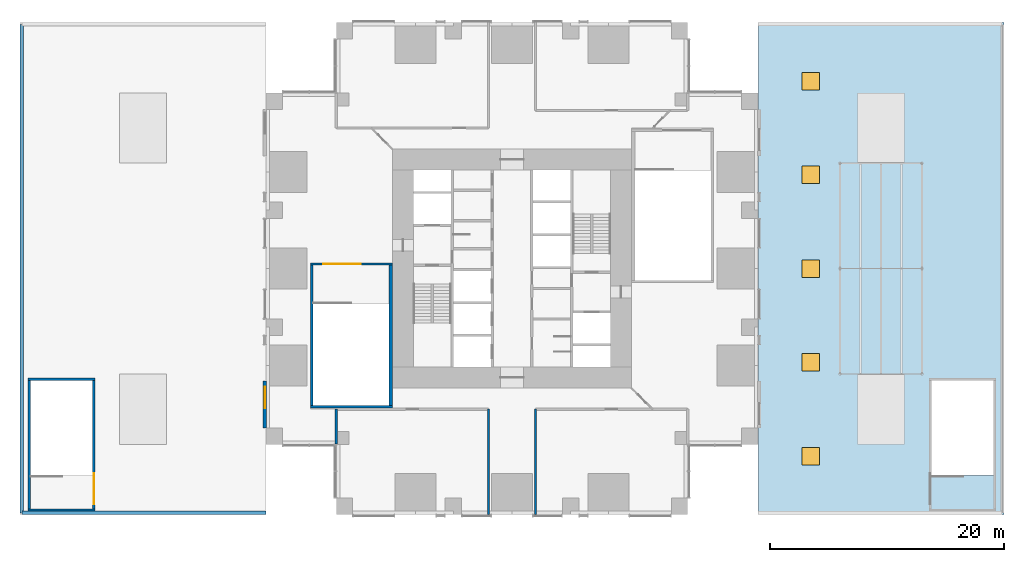
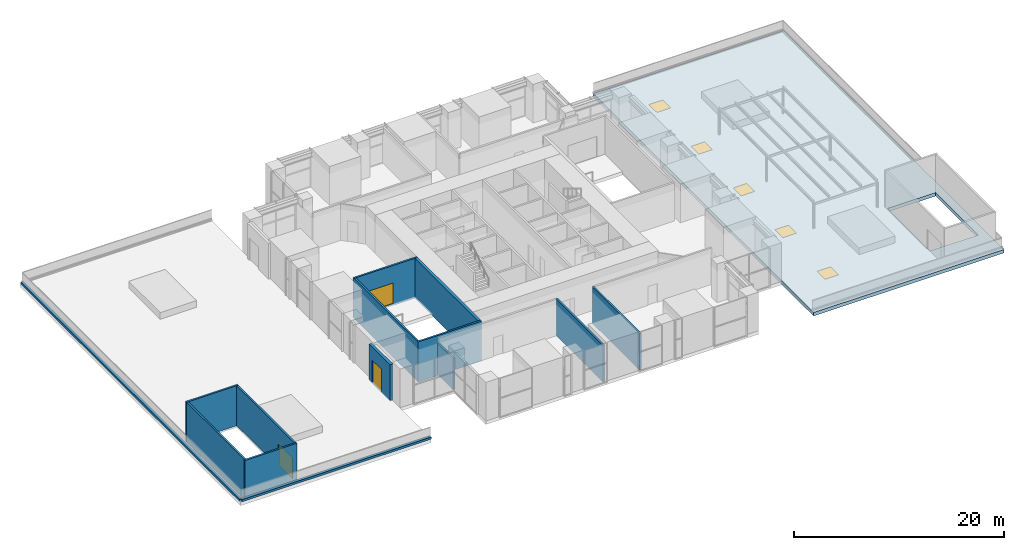
# One storey, part 9 of 14: 14 walls, 5 windows, 3 doors, 1 slab, 8 openings.
"""IFC4 building model written with IfcOpenShell, lengths in metres."""

from ifc_helpers import new_model, si_unit, direction, frame, frame_2d, origin, origin_2d, place, context, subcontext, project, spatial, polyline, rectangle, outline, extrude, material, layer, layer_set, type_object, element, fill, save


model = new_model("IFC4")

# Units and contexts
model_context = context("Model", 3, precision=1e-05, world=origin(), true_north=direction((0.0, 1.0)))
body_context = subcontext(model_context, "Body", "Model", "MODEL_VIEW")
ifc_project = project(units=[si_unit("LENGTHUNIT", "METRE"), si_unit("AREAUNIT", "SQUARE_METRE"), si_unit("VOLUMEUNIT", "CUBIC_METRE"), si_unit("PLANEANGLEUNIT", "RADIAN"), si_unit("MASSUNIT", "GRAM", prefix="KILO")], contexts=[model_context])

# Site, building, storey
site_placement = place(None, origin())
site = spatial("IfcSite", under=ifc_project, at=site_placement, CompositionType="ELEMENT")
building_placement = place(site_placement, origin())
building = spatial("IfcBuilding", under=site, at=building_placement, Name="Svetlomir Tower", CompositionType="ELEMENT")
storey_placement = place(building_placement, frame((0.0, 0.0, 18.0)))
storey = spatial("IfcBuildingStorey", under=building, at=storey_placement, Name="L03", CompositionType="ELEMENT", Elevation=18.0)

# Slab, openings, windows
ifc_material_1 = material(Name="Concrete C60/75", Category="concrete")
ifc_layer_1 = layer(ifc_material_1, 0.39990234375)
ifc_layer_set_1 = layer_set([ifc_layer_1], Name="Concrete C60/75")
slab_type = type_object("IfcSlabType", Name="ROOF TERRACE SLAB 400", PredefinedType="ROOF", material=ifc_layer_set_1)
slab_placement = place(storey_placement, frame((0.0, 0.0, -0.39990234375)))
slab = element("IfcSlab", 1, at=slab_placement, inside=storey, type_object=slab_type, Name="East roof terrace", PredefinedType="ROOF", context=body_context, shape_type="SweptSolid", body=[
    extrude(outline(polyline([(42.050048828125, 0.0), (63.0, 0.0), (63.0, 42.0), (42.050048828125, 42.0), (42.050048828125, 0.0)]), holes=[polyline([(56.800048828125, 3.320068359375), (62.10009765625, 3.320068359375), (62.10009765625, 11.449951171875), (56.800048828125, 11.449951171875), (56.800048828125, 3.320068359375)])]), origin(), (0.0, 0.0, 1.0), 0.39990234375),
])
opening_1_placement = place(slab_placement, frame((46.5, 5.0, 0.0)))
opening_1 = element("IfcOpeningElement", 2, at=opening_1_placement, cuts=slab, Name="Opening RL", PredefinedType="OPENING", context=body_context, shape_type="SweptSolid", body=[
    extrude(rectangle(XDim=1.5, YDim=1.5, at=origin_2d()), origin(), (0.0, 0.0, 1.0), 0.39990234375),
])
opening_2_placement = place(slab_placement, frame((46.5, 13.0, 0.0)))
opening_2 = element("IfcOpeningElement", 3, at=opening_2_placement, cuts=slab, Name="Opening RL", PredefinedType="OPENING", context=body_context, shape_type="SweptSolid", body=[
    extrude(rectangle(XDim=1.5, YDim=1.5, at=origin_2d()), origin(), (0.0, 0.0, 1.0), 0.39990234375),
])
opening_3_placement = place(slab_placement, frame((46.5, 21.0, 0.0)))
opening_3 = element("IfcOpeningElement", 4, at=opening_3_placement, cuts=slab, Name="Opening RL", PredefinedType="OPENING", context=body_context, shape_type="SweptSolid", body=[
    extrude(rectangle(XDim=1.5, YDim=1.5, at=origin_2d()), origin(), (0.0, 0.0, 1.0), 0.39990234375),
])
opening_4_placement = place(slab_placement, frame((46.5, 29.0, 0.0)))
opening_4 = element("IfcOpeningElement", 5, at=opening_4_placement, cuts=slab, Name="Opening RL", PredefinedType="OPENING", context=body_context, shape_type="SweptSolid", body=[
    extrude(rectangle(XDim=1.5, YDim=1.5, at=origin_2d()), origin(), (0.0, 0.0, 1.0), 0.39990234375),
])
opening_5_placement = place(slab_placement, frame((46.5, 37.0, 0.0)))
opening_5 = element("IfcOpeningElement", 6, at=opening_5_placement, cuts=slab, Name="Opening RL", PredefinedType="OPENING", context=body_context, shape_type="SweptSolid", body=[
    extrude(rectangle(XDim=1.5, YDim=1.5, at=origin_2d()), origin(), (0.0, 0.0, 1.0), 0.39990234375),
])
ifc_material_2 = material(Name="Bronze anodised aluminium rooflight", Category="aluminium")
window_type = type_object("IfcWindowType", Name="ROOFLIGHT RL 1500x1500", PartitioningType="SINGLE_PANEL", PredefinedType="SKYLIGHT", material=ifc_material_2)
window_1_placement = place(opening_1_placement, frame((0.0, 0.0, 0.349853515625)))
window_1 = element("IfcWindow", 7, at=window_1_placement, inside=storey, type_object=window_type, Name="Rooflight 1 over conference rooms", OverallHeight=1.5, OverallWidth=1.5, PartitioningType="SINGLE_PANEL", PredefinedType="SKYLIGHT", context=body_context, shape_type="SweptSolid", body=[
    extrude(rectangle(XDim=1.5, YDim=1.5, at=origin_2d()), origin(), (0.0, 0.0, 1.0), 0.050048828125),
])
fill(opening_1, window_1)
window_2_placement = place(opening_2_placement, frame((0.0, 0.0, 0.349853515625)))
window_2 = element("IfcWindow", 8, at=window_2_placement, inside=storey, type_object=window_type, Name="Rooflight 2 over conference rooms", OverallHeight=1.5, OverallWidth=1.5, PartitioningType="SINGLE_PANEL", PredefinedType="SKYLIGHT", context=body_context, shape_type="SweptSolid", body=[
    extrude(rectangle(XDim=1.5, YDim=1.5, at=origin_2d()), origin(), (0.0, 0.0, 1.0), 0.050048828125),
])
fill(opening_2, window_2)
window_3_placement = place(opening_3_placement, frame((0.0, 0.0, 0.349853515625)))
window_3 = element("IfcWindow", 9, at=window_3_placement, inside=storey, type_object=window_type, Name="Rooflight 3 over conference rooms", OverallHeight=1.5, OverallWidth=1.5, PartitioningType="SINGLE_PANEL", PredefinedType="SKYLIGHT", context=body_context, shape_type="SweptSolid", body=[
    extrude(rectangle(XDim=1.5, YDim=1.5, at=origin_2d()), origin(), (0.0, 0.0, 1.0), 0.050048828125),
])
fill(opening_3, window_3)
window_4_placement = place(opening_4_placement, frame((0.0, 0.0, 0.349853515625)))
window_4 = element("IfcWindow", 10, at=window_4_placement, inside=storey, type_object=window_type, Name="Rooflight 4 over conference rooms", OverallHeight=1.5, OverallWidth=1.5, PartitioningType="SINGLE_PANEL", PredefinedType="SKYLIGHT", context=body_context, shape_type="SweptSolid", body=[
    extrude(rectangle(XDim=1.5, YDim=1.5, at=origin_2d()), origin(), (0.0, 0.0, 1.0), 0.050048828125),
])
fill(opening_4, window_4)
window_5_placement = place(opening_5_placement, frame((0.0, 0.0, 0.349853515625)))
window_5 = element("IfcWindow", 11, at=window_5_placement, inside=storey, type_object=window_type, Name="Rooflight 5 over conference rooms", OverallHeight=1.5, OverallWidth=1.5, PartitioningType="SINGLE_PANEL", PredefinedType="SKYLIGHT", context=body_context, shape_type="SweptSolid", body=[
    extrude(rectangle(XDim=1.5, YDim=1.5, at=origin_2d()), origin(), (0.0, 0.0, 1.0), 0.050048828125),
])
fill(opening_5, window_5)

# Walls
ifc_material_3 = material(Name="Gypsum board on twin steel studs", Category="steel")
ifc_layer_2 = layer(ifc_material_3, 0.199951171875)
ifc_layer_set_2 = layer_set([ifc_layer_2], Name="Gypsum board on twin steel studs")
wall_type_1 = type_object("IfcWallType", Name="ACOUSTIC PARTITION 200", PredefinedType="PARTITIONING", material=ifc_layer_set_2)
wall_1_placement = place(storey_placement, frame((6.0, 6.050048828125, 0.0), z_axis=(0.0, 0.0, 1.0), x_axis=(0.0, 1.0, 0.0)))
element("IfcWall", 12, at=wall_1_placement, inside=storey, type_object=wall_type_1, Name="Partition L03", PredefinedType="PARTITIONING", context=body_context, shape_type="SweptSolid", body=[
    extrude(rectangle(XDim=2.949951171875, YDim=0.199951171875, at=frame_2d((1.47509765625, 0.0))), origin(), (0.0, 0.0, 1.0), 3.6298828125),
])
for number, where, z_axis, x_axis, name in (
    (13, (19.0, 0.0, 0.0), (0.0, 0.0, 1.0), (0.0, 1.0, 0.0), "Partition L03"),
    (14, (23.0, 0.0, 0.0), (0.0, 0.0, 1.0), (0.0, 1.0, 0.0), "Partition L03"),
):
    element("IfcWall", number, at=place(storey_placement, frame(where, z_axis=z_axis, x_axis=x_axis)), inside=storey, type_object=wall_type_1, Name=name, PredefinedType="PARTITIONING", context=body_context, shape_type="SweptSolid", body=[
        extrude(rectangle(XDim=9.0, YDim=0.199951171875, at=frame_2d((4.5, 0.0))), origin(), (0.0, 0.0, 1.0), 4.25),
    ])

# Wall, opening, door
ifc_material_4 = material(Name="Bronze anodised aluminium glazed screen", Category="aluminium")
ifc_layer_3 = layer(ifc_material_4, 0.300048828125)
ifc_layer_set_3 = layer_set([ifc_layer_3], Name="Bronze anodised aluminium glazed screen")
wall_type_2 = type_object("IfcWallType", Name="ENTRANCE SCREEN WALL 300", PredefinedType="USERDEFINED", material=ifc_layer_set_3)
wall_2_placement = place(storey_placement, frame((-0.10009765625, 11.39990234375, 0.0), z_axis=(0.0, 0.0, 1.0), x_axis=(0.0, -1.0, 0.0)))
wall_2 = element("IfcWall", 15, at=wall_2_placement, inside=storey, type_object=wall_type_2, Name="Terrace screen", ObjectType="GLAZED SCREEN", PredefinedType="USERDEFINED", context=body_context, shape_type="SweptSolid", body=[
    extrude(rectangle(XDim=4.0, YDim=0.300048828125, at=frame_2d((2.0, 0.0))), origin(), (0.0, 0.0, 1.0), 4.25),
])
opening_6_placement = place(wall_2_placement, frame((0.5, 0.0, 0.0)))
opening_6 = element("IfcOpeningElement", 16, at=opening_6_placement, cuts=wall_2, Name="Opening TD", PredefinedType="OPENING", context=body_context, shape_type="SweptSolid", body=[
    extrude(rectangle(XDim=1.800048828125, YDim=2.699951171875, at=frame_2d((0.89990234375, 1.35009765625))), frame((0.0, 0.16015625, 0.0), z_axis=(0.0, -1.0, 0.0), x_axis=(1.0, 0.0, 0.0)), (0.0, 0.0, 1.0), 0.320068359375),
])
ifc_material_5 = material(Name="Bronze anodised aluminium glazed door", Category="aluminium")
door_type_1 = type_object("IfcDoorType", Name="TERRACE DOOR TD 1800x2700", OperationType="DOUBLE_DOOR_SINGLE_SWING", PredefinedType="DOOR", material=ifc_material_5)
door_1_placement = place(opening_6_placement, origin())
door_1 = element("IfcDoor", 17, at=door_1_placement, inside=storey, type_object=door_type_1, Name="Terrace screen door", OperationType="DOUBLE_DOOR_SINGLE_SWING", OverallHeight=2.699951171875, OverallWidth=1.800048828125, PredefinedType="DOOR", context=body_context, shape_type="SweptSolid", body=[
    extrude(rectangle(XDim=1.800048828125, YDim=2.699951171875, at=frame_2d((0.89990234375, 1.35009765625))), frame((0.0, 0.02490234375, 0.0), z_axis=(0.0, -1.0, 0.0), x_axis=(1.0, 0.0, 0.0)), (0.0, 0.0, 1.0), 0.050048828125),
])
fill(opening_6, door_1)

# Wall
ifc_material_6 = material(Name="Concrete C60/75", Category="concrete")
ifc_layer_4 = layer(ifc_material_6, 0.199951171875)
ifc_layer_set_4 = layer_set([ifc_layer_4], Name="Concrete C60/75")
wall_type_3 = type_object("IfcWallType", Name="STAIR CORE WALL RC 200", PredefinedType="SOLIDWALL", material=ifc_layer_set_4)
wall_3_placement = place(storey_placement, frame((3.800048828125, 9.199951171875, -0.199951171875), z_axis=(0.0, 0.0, 1.0), x_axis=(1.0, 0.0, 0.0)))
element("IfcWall", 18, at=wall_3_placement, inside=storey, type_object=wall_type_3, Name="Stair P1 enclosure wall L03", PredefinedType="SOLIDWALL", context=body_context, shape_type="SweptSolid", body=[
    extrude(rectangle(XDim=7.0, YDim=0.199951171875, at=frame_2d((3.5, 0.0))), origin(), (0.0, 0.0, 1.0), 4.64990234375),
])

# Wall, opening, door
wall_4_placement = place(storey_placement, frame((10.800048828125, 21.39990234375, -0.199951171875), z_axis=(0.0, 0.0, 1.0), x_axis=(-1.0, 0.0, 0.0)))
wall_4 = element("IfcWall", 19, at=wall_4_placement, inside=storey, type_object=wall_type_3, Name="Stair P1 enclosure wall L03", PredefinedType="SOLIDWALL", context=body_context, shape_type="SweptSolid", body=[
    extrude(rectangle(XDim=7.0, YDim=0.199951171875, at=frame_2d((3.5, 0.0))), origin(), (0.0, 0.0, 1.0), 4.64990234375),
])
opening_7_placement = place(wall_4_placement, frame((2.699951171875, 0.0, 0.199951171875)))
opening_7 = element("IfcOpeningElement", 20, at=opening_7_placement, cuts=wall_4, Name="Opening DS32", PredefinedType="OPENING", context=body_context, shape_type="SweptSolid", body=[
    extrude(rectangle(XDim=3.199951171875, YDim=2.39990234375, at=frame_2d((1.60009765625, 1.199951171875))), frame((0.0, 0.10986328125, 0.0), z_axis=(0.0, -1.0, 0.0), x_axis=(1.0, 0.0, 0.0)), (0.0, 0.0, 1.0), 0.219970703125),
])
ifc_material_7 = material(Name="Steel fire door", Category="steel")
door_type_2 = type_object("IfcDoorType", Name="STAIR DOUBLE DOOR DS 3200x2400", OperationType="DOUBLE_DOOR_SINGLE_SWING", PredefinedType="DOOR", material=ifc_material_7)
door_2_placement = place(opening_7_placement, origin())
door_2 = element("IfcDoor", 21, at=door_2_placement, inside=storey, type_object=door_type_2, Name="Stair P1 door L03", OperationType="DOUBLE_DOOR_SINGLE_SWING", OverallHeight=2.39990234375, OverallWidth=3.199951171875, PredefinedType="DOOR", context=body_context, shape_type="SweptSolid", body=[
    extrude(rectangle(XDim=3.199951171875, YDim=2.39990234375, at=frame_2d((1.60009765625, 1.199951171875))), frame((0.0, 0.02490234375, 0.0), z_axis=(0.0, -1.0, 0.0), x_axis=(1.0, 0.0, 0.0)), (0.0, 0.0, 1.0), 0.050048828125),
])
fill(opening_7, door_2)

# Walls
wall_5_placement = place(storey_placement, frame((3.89990234375, 21.5, -0.199951171875), z_axis=(0.0, 0.0, 1.0), x_axis=(0.0, -1.0, 0.0)))
element("IfcWall", 22, at=wall_5_placement, inside=storey, type_object=wall_type_3, Name="Stair P1 enclosure wall L03", PredefinedType="SOLIDWALL", context=body_context, shape_type="SweptSolid", body=[
    extrude(rectangle(XDim=12.39990234375, YDim=0.199951171875, at=frame_2d((6.199951171875, 0.0))), origin(), (0.0, 0.0, 1.0), 4.64990234375),
])
wall_6_placement = place(storey_placement, frame((-20.300048828125, 0.39990234375, -0.199951171875), z_axis=(0.0, 0.0, 1.0), x_axis=(1.0, 0.0, 0.0)))
element("IfcWall", 23, at=wall_6_placement, inside=storey, type_object=wall_type_3, Name="Stair P3 enclosure wall L03", PredefinedType="SOLIDWALL", context=body_context, shape_type="SweptSolid", body=[
    extrude(rectangle(XDim=5.699951171875, YDim=0.199951171875, at=frame_2d((2.85009765625, 0.0))), origin(), (0.0, 0.0, 1.0), 4.64990234375),
])

# Wall, opening, door
wall_7_placement = place(storey_placement, frame((-14.699951171875, 0.300048828125, -0.199951171875), z_axis=(0.0, 0.0, 1.0), x_axis=(0.0, 1.0, 0.0)))
wall_7 = element("IfcWall", 24, at=wall_7_placement, inside=storey, type_object=wall_type_3, Name="Stair P3 enclosure wall L03", PredefinedType="SOLIDWALL", context=body_context, shape_type="SweptSolid", body=[
    extrude(rectangle(XDim=11.349853515625, YDim=0.199951171875, at=frame_2d((5.6748046875, 0.0))), origin(), (0.0, 0.0, 1.0), 4.64990234375),
])
opening_8_placement = place(wall_7_placement, frame((0.60009765625, 0.0, 0.199951171875)))
opening_8 = element("IfcOpeningElement", 25, at=opening_8_placement, cuts=wall_7, Name="Opening DS26", PredefinedType="OPENING", context=body_context, shape_type="SweptSolid", body=[
    extrude(rectangle(XDim=2.64990234375, YDim=2.39990234375, at=frame_2d((1.324951171875, 1.199951171875))), frame((0.0, 0.10986328125, 0.0), z_axis=(0.0, -1.0, 0.0), x_axis=(1.0, 0.0, 0.0)), (0.0, 0.0, 1.0), 0.219970703125),
])
ifc_material_8 = material(Name="Steel fire door", Category="steel")
door_type_3 = type_object("IfcDoorType", Name="STAIR DOUBLE DOOR DS 2650x2400", OperationType="DOUBLE_DOOR_SINGLE_SWING", PredefinedType="DOOR", material=ifc_material_8)
door_3_placement = place(opening_8_placement, origin())
door_3 = element("IfcDoor", 26, at=door_3_placement, inside=storey, type_object=door_type_3, Name="Stair P3 door L03", OperationType="DOUBLE_DOOR_SINGLE_SWING", OverallHeight=2.39990234375, OverallWidth=2.64990234375, PredefinedType="DOOR", context=body_context, shape_type="SweptSolid", body=[
    extrude(rectangle(XDim=2.64990234375, YDim=2.39990234375, at=frame_2d((1.324951171875, 1.199951171875))), frame((0.0, 0.02490234375, 0.0), z_axis=(0.0, -1.0, 0.0), x_axis=(1.0, 0.0, 0.0)), (0.0, 0.0, 1.0), 0.050048828125),
])
fill(opening_8, door_3)

# Walls
wall_8_placement = place(storey_placement, frame((-14.60009765625, 11.550048828125, -0.199951171875), z_axis=(0.0, 0.0, 1.0), x_axis=(-1.0, 0.0, 0.0)))
element("IfcWall", 27, at=wall_8_placement, inside=storey, type_object=wall_type_3, Name="Stair P3 enclosure wall L03", PredefinedType="SOLIDWALL", context=body_context, shape_type="SweptSolid", body=[
    extrude(rectangle(XDim=5.699951171875, YDim=0.199951171875, at=frame_2d((2.85009765625, 0.0))), origin(), (0.0, 0.0, 1.0), 4.64990234375),
])
wall_9_placement = place(storey_placement, frame((-20.199951171875, 11.64990234375, -0.199951171875), z_axis=(0.0, 0.0, 1.0), x_axis=(0.0, -1.0, 0.0)))
element("IfcWall", 28, at=wall_9_placement, inside=storey, type_object=wall_type_3, Name="Stair P3 enclosure wall L03", PredefinedType="SOLIDWALL", context=body_context, shape_type="SweptSolid", body=[
    extrude(rectangle(XDim=11.349853515625, YDim=0.199951171875, at=frame_2d((5.6748046875, 0.0))), origin(), (0.0, 0.0, 1.0), 4.64990234375),
])
ifc_material_9 = material(Name="Concrete C60/75", Category="concrete")
ifc_layer_5 = layer(ifc_material_9, 0.300048828125)
ifc_layer_set_5 = layer_set([ifc_layer_5], Name="Concrete C60/75")
wall_type_4 = type_object("IfcWallType", Name="STAIR CORE WALL RC 300", PredefinedType="SOLIDWALL", material=ifc_layer_set_5)
wall_10_placement = place(storey_placement, frame((10.64990234375, 9.10009765625, -0.199951171875), z_axis=(0.0, 0.0, 1.0), x_axis=(0.0, 1.0, 0.0)))
element("IfcWall", 29, at=wall_10_placement, inside=storey, type_object=wall_type_4, Name="Stair P1 enclosure wall L03", PredefinedType="SOLIDWALL", context=body_context, shape_type="SweptSolid", body=[
    extrude(rectangle(XDim=12.39990234375, YDim=0.300048828125, at=frame_2d((6.199951171875, 0.0))), origin(), (0.0, 0.0, 1.0), 4.64990234375),
])
ifc_material_10 = material(Name="Precast concrete C60/75", Category="concrete")
ifc_layer_6 = layer(ifc_material_10, 0.300048828125)
ifc_layer_set_6 = layer_set([ifc_layer_6], Name="Precast concrete C60/75")
wall_type_5 = type_object("IfcWallType", Name="TERRACE PARAPET 300", PredefinedType="PARAPET", material=ifc_layer_set_6)
wall_11_placement = place(storey_placement, frame((0.0, 0.14990234375, 0.0), z_axis=(0.0, 0.0, 1.0), x_axis=(-1.0, 0.0, 0.0)))
element("IfcWall", 30, at=wall_11_placement, inside=storey, type_object=wall_type_5, Name="Roof terrace parapet W1", PredefinedType="PARAPET", context=body_context, shape_type="SweptSolid", body=[
    extrude(rectangle(XDim=20.85009765625, YDim=0.300048828125, at=frame_2d((10.425048828125, 0.0))), origin(), (0.0, 0.0, 1.0), 0.25),
])
wall_12_placement = place(storey_placement, frame((-20.85009765625, 0.14990234375, 0.0), z_axis=(0.0, 0.0, 1.0), x_axis=(0.0, 1.0, 0.0)))
element("IfcWall", 31, at=wall_12_placement, inside=storey, type_object=wall_type_5, Name="Roof terrace parapet W2", PredefinedType="PARAPET", context=body_context, shape_type="SweptSolid", body=[
    extrude(rectangle(XDim=41.7001953125, YDim=0.300048828125, at=frame_2d((20.85009765625, 0.0))), origin(), (0.0, 0.0, 1.0), 0.25),
])

save(model, "model.ifc")
